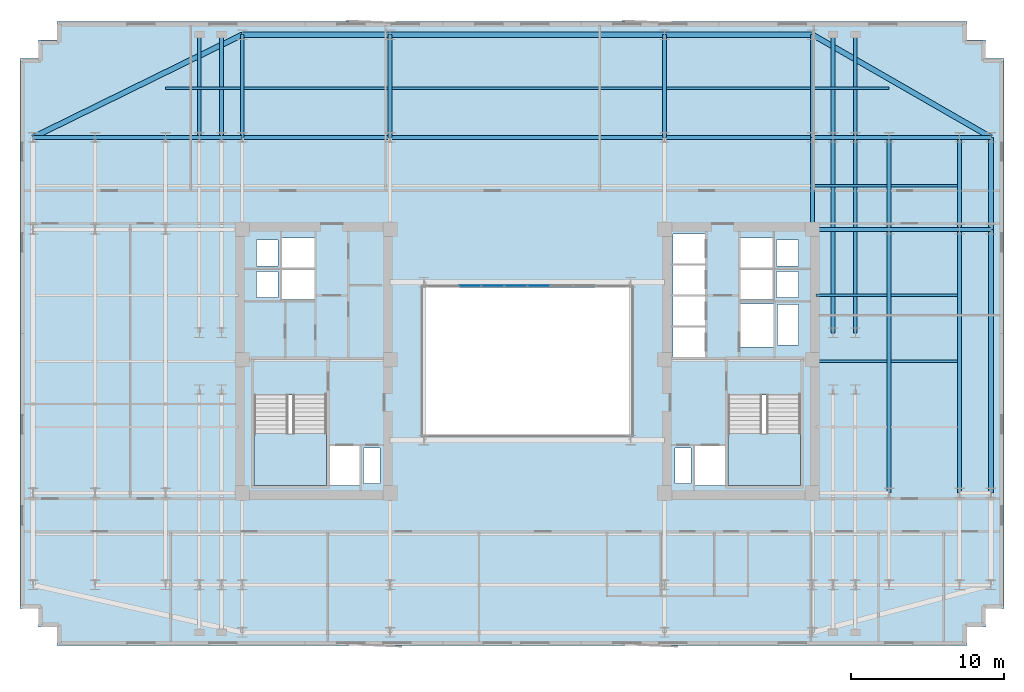
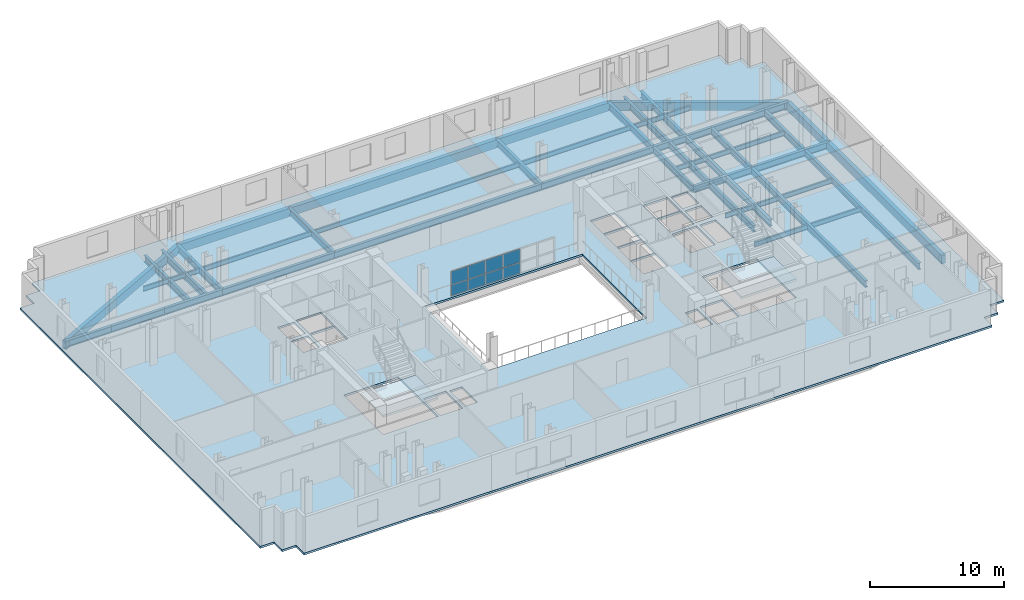
# One storey, part 5 of 12: 45 beams, 8 plates, 3 slabs, 3 elements without a shape of their own.
"""IFC4 building model written with IfcOpenShell, lengths in metres."""

from ifc_helpers import new_model, si_unit, direction, frame, origin, origin_2d, place, context, subcontext, project, spatial, polyline, rectangle, i_section, outline, extrude, material, layer, layer_set, material_profile, profile_set, type_object, element, aggregate, save


model = new_model("IFC4")

# Units and contexts
model_context = context("Model", 3, precision=1e-05, world=origin(), true_north=direction((0.0, 1.0)))
body_context = subcontext(model_context, "Body", "Model", "MODEL_VIEW")
ifc_project = project(units=[si_unit("LENGTHUNIT", "METRE"), si_unit("AREAUNIT", "SQUARE_METRE"), si_unit("VOLUMEUNIT", "CUBIC_METRE"), si_unit("PLANEANGLEUNIT", "RADIAN"), si_unit("MASSUNIT", "GRAM", prefix="KILO")], contexts=[model_context])

# Site, building, storey
site_placement = place(None, origin())
site = spatial("IfcSite", under=ifc_project, at=site_placement, CompositionType="ELEMENT")
building_placement = place(site_placement, origin())
building = spatial("IfcBuilding", under=site, at=building_placement, Name="Velakula Bourse", CompositionType="ELEMENT")
storey_placement = place(building_placement, frame((0.0, 0.0, 134.64990234375)))
storey = spatial("IfcBuildingStorey", under=building, at=storey_placement, Name="L36", CompositionType="ELEMENT", Elevation=134.64990234375)

# Beams
ifc_material_1 = material(Name="Steel IS 2062 Grade 350 (E350)", Category="steel")
ifc_material_profile_1 = material_profile(ifc_material_1, i_section(OverallWidth=0.25, OverallDepth=0.60009765625, WebThickness=0.01123046875, FlangeThickness=0.021240234375, at=origin_2d()), Name="Steel IS 2062 Grade 350 (E350)")
ifc_profile_set_1 = profile_set([ifc_material_profile_1], Name="Steel IS 2062 Grade 350 (E350)")
beam_type_1 = type_object("IfcBeamType", Name="BM-GRD-600M", PredefinedType="BEAM", material=ifc_profile_set_1)
beam_1_placement = place(storey_placement, frame((18.60009765625, 8.60009765625, -0.47998046875), z_axis=(0.0, 1.0, 0.0), x_axis=(-1.0, 0.0, 0.0)))
element("IfcBeam", 1, at=beam_1_placement, inside=storey, type_object=beam_type_1, Name="L36 Fulcrum Grid Girder FLC-EN", PredefinedType="BEAM", context=body_context, shape_type="SweptSolid", body=[
    extrude(i_section(OverallWidth=0.25, OverallDepth=0.60009765625, WebThickness=0.01123046875, FlangeThickness=0.021240234375, at=origin_2d()), origin(), (0.0, 0.0, 1.0), 6.0),
])
beam_2_placement = place(storey_placement, frame((-18.60009765625, 14.60009765625, -0.47998046875), z_axis=(1.0, 0.0, 0.0), x_axis=(0.0, 1.0, 0.0)))
element("IfcBeam", 2, at=beam_2_placement, inside=storey, type_object=beam_type_1, Name="L36 Fulcrum Grid Girder FLC-N1", PredefinedType="BEAM", context=body_context, shape_type="SweptSolid", body=[
    extrude(i_section(OverallWidth=0.25, OverallDepth=0.60009765625, WebThickness=0.01123046875, FlangeThickness=0.021240234375, at=origin_2d()), origin(), (0.0, 0.0, 1.0), 9.650146484375),
])
beam_3_placement = place(storey_placement, frame((-8.949951171875, 14.60009765625, -0.47998046875), z_axis=(1.0, 0.0, 0.0), x_axis=(0.0, 1.0, 0.0)))
element("IfcBeam", 3, at=beam_3_placement, inside=storey, type_object=beam_type_1, Name="L36 Fulcrum Grid Girder FLC-N2", PredefinedType="BEAM", context=body_context, shape_type="SweptSolid", body=[
    extrude(i_section(OverallWidth=0.25, OverallDepth=0.60009765625, WebThickness=0.01123046875, FlangeThickness=0.021240234375, at=origin_2d()), origin(), (0.0, 0.0, 1.0), 17.89990234375),
])
beam_4_placement = place(storey_placement, frame((8.949951171875, 14.60009765625, -0.47998046875), z_axis=(1.0, 0.0, 0.0), x_axis=(0.0, 1.0, 0.0)))
element("IfcBeam", 4, at=beam_4_placement, inside=storey, type_object=beam_type_1, Name="L36 Fulcrum Grid Girder FLC-N3", PredefinedType="BEAM", context=body_context, shape_type="SweptSolid", body=[
    extrude(i_section(OverallWidth=0.25, OverallDepth=0.60009765625, WebThickness=0.01123046875, FlangeThickness=0.021240234375, at=origin_2d()), origin(), (0.0, 0.0, 1.0), 9.650146484375),
])
for number, where, z_axis, x_axis, name in (
    (5, (19.949951171875, 1.85009765625, -0.47998046875), (0.0, 1.0, 0.0), (-1.0, 0.0, 0.0), "L36 Fulcrum Grid Girder FLC-PNE1"),
    (6, (21.39990234375, 1.85009765625, -0.47998046875), (0.0, 1.0, 0.0), (-1.0, 0.0, 0.0), "L36 Fulcrum Grid Girder FLC-PNE2"),
):
    element("IfcBeam", number, at=place(storey_placement, frame(where, z_axis=z_axis, x_axis=x_axis)), inside=storey, type_object=beam_type_1, Name=name, PredefinedType="BEAM", context=body_context, shape_type="SweptSolid", body=[
        extrude(i_section(OverallWidth=0.25, OverallDepth=0.60009765625, WebThickness=0.01123046875, FlangeThickness=0.021240234375, at=origin_2d()), origin(), (0.0, 0.0, 1.0), 12.75),
    ])
for number, where, z_axis, x_axis, name in (
    (7, (-23.60009765625, 14.60009765625, -0.47998046875), (1.0, 0.0, 0.0), (0.0, 1.0, 0.0), "L36 Fulcrum Grid Girder MWG-WN2"),
    (8, (18.60009765625, 8.60009765625, -0.47998046875), (1.0, 0.0, 0.0), (0.0, 1.0, 0.0), "L36 Fulcrum Grid Girder MWG-EN1"),
    (9, (18.60009765625, 14.60009765625, -0.47998046875), (1.0, 0.0, 0.0), (0.0, 1.0, 0.0), "L36 Fulcrum Grid Girder MWG-EN2"),
):
    element("IfcBeam", number, at=place(storey_placement, frame(where, z_axis=z_axis, x_axis=x_axis)), inside=storey, type_object=beam_type_1, Name=name, PredefinedType="BEAM", context=body_context, shape_type="SweptSolid", body=[
        extrude(i_section(OverallWidth=0.25, OverallDepth=0.60009765625, WebThickness=0.01123046875, FlangeThickness=0.021240234375, at=origin_2d()), origin(), (0.0, 0.0, 1.0), 5.0),
    ])
beam_5_placement = place(storey_placement, frame((23.60009765625, -8.60009765625, -0.47998046875), z_axis=(0.0, 1.0, 0.0), x_axis=(-1.0, 0.0, 0.0)))
element("IfcBeam", 10, at=beam_5_placement, inside=storey, type_object=beam_type_1, Name="L36 Fulcrum Grid Girder MWG-ENS2", PredefinedType="BEAM", context=body_context, shape_type="SweptSolid", body=[
    extrude(i_section(OverallWidth=0.25, OverallDepth=0.60009765625, WebThickness=0.01123046875, FlangeThickness=0.021240234375, at=origin_2d()), origin(), (0.0, 0.0, 1.0), 17.2001953125),
])
beam_6_placement = place(storey_placement, frame((23.60009765625, 8.60009765625, -0.47998046875), z_axis=(0.0, 1.0, 0.0), x_axis=(-1.0, 0.0, 0.0)))
element("IfcBeam", 11, at=beam_6_placement, inside=storey, type_object=beam_type_1, Name="L36 Fulcrum Grid Girder MWG-ENS3", PredefinedType="BEAM", context=body_context, shape_type="SweptSolid", body=[
    extrude(i_section(OverallWidth=0.25, OverallDepth=0.60009765625, WebThickness=0.01123046875, FlangeThickness=0.021240234375, at=origin_2d()), origin(), (0.0, 0.0, 1.0), 6.0),
])
for number, where, z_axis, x_axis, name in (
    (12, (-28.199951171875, 14.60009765625, -0.47998046875), (1.0, 0.0, 0.0), (0.0, 1.0, 0.0), "L36 Fulcrum Grid Girder WNG-WN2"),
    (13, (23.60009765625, 8.60009765625, -0.47998046875), (1.0, 0.0, 0.0), (0.0, 1.0, 0.0), "L36 Fulcrum Grid Girder WNG-EN1"),
    (14, (23.60009765625, 14.60009765625, -0.47998046875), (1.0, 0.0, 0.0), (0.0, 1.0, 0.0), "L36 Fulcrum Grid Girder WNG-EN2"),
):
    element("IfcBeam", number, at=place(storey_placement, frame(where, z_axis=z_axis, x_axis=x_axis)), inside=storey, type_object=beam_type_1, Name=name, PredefinedType="BEAM", context=body_context, shape_type="SweptSolid", body=[
        extrude(i_section(OverallWidth=0.25, OverallDepth=0.60009765625, WebThickness=0.01123046875, FlangeThickness=0.021240234375, at=origin_2d()), origin(), (0.0, 0.0, 1.0), 4.599853515625),
    ])
beam_7_placement = place(storey_placement, frame((28.199951171875, -8.60009765625, -0.47998046875), z_axis=(0.0, 1.0, 0.0), x_axis=(-1.0, 0.0, 0.0)))
element("IfcBeam", 15, at=beam_7_placement, inside=storey, type_object=beam_type_1, Name="L36 Fulcrum Grid Girder WNG-ENS2", PredefinedType="BEAM", context=body_context, shape_type="SweptSolid", body=[
    extrude(i_section(OverallWidth=0.25, OverallDepth=0.60009765625, WebThickness=0.01123046875, FlangeThickness=0.021240234375, at=origin_2d()), origin(), (0.0, 0.0, 1.0), 17.2001953125),
])
beam_8_placement = place(storey_placement, frame((28.199951171875, 8.60009765625, -0.47998046875), z_axis=(0.0, 1.0, 0.0), x_axis=(-1.0, 0.0, 0.0)))
element("IfcBeam", 16, at=beam_8_placement, inside=storey, type_object=beam_type_1, Name="L36 Fulcrum Grid Girder WNG-ENS3", PredefinedType="BEAM", context=body_context, shape_type="SweptSolid", body=[
    extrude(i_section(OverallWidth=0.25, OverallDepth=0.60009765625, WebThickness=0.01123046875, FlangeThickness=0.021240234375, at=origin_2d()), origin(), (0.0, 0.0, 1.0), 6.0),
])
for number, where, z_axis, x_axis, name in (
    (17, (-18.60009765625, 14.60009765625, -0.47998046875), (0.0, 1.0, 0.0), (-1.0, 0.0, 0.0), "L36 Perimeter Tie Girder N1"),
    (18, (-8.949951171875, 14.60009765625, -0.47998046875), (0.0, 1.0, 0.0), (-1.0, 0.0, 0.0), "L36 Perimeter Tie Girder N2"),
    (19, (8.949951171875, 14.60009765625, -0.47998046875), (0.0, 1.0, 0.0), (-1.0, 0.0, 0.0), "L36 Perimeter Tie Girder N3"),
    (20, (18.60009765625, 14.60009765625, -0.47998046875), (0.0, 1.0, 0.0), (-1.0, 0.0, 0.0), "L36 Perimeter Tie Girder N4"),
):
    element("IfcBeam", number, at=place(storey_placement, frame(where, z_axis=z_axis, x_axis=x_axis)), inside=storey, type_object=beam_type_1, Name=name, PredefinedType="BEAM", context=body_context, shape_type="SweptSolid", body=[
        extrude(i_section(OverallWidth=0.25, OverallDepth=0.60009765625, WebThickness=0.01123046875, FlangeThickness=0.021240234375, at=origin_2d()), origin(), (0.0, 0.0, 1.0), 6.699951171875),
    ])
beam_9_placement = place(storey_placement, frame((-28.199951171875, 14.60009765625, -0.47998046875), z_axis=(-1.0, 0.0, 0.0), x_axis=(0.0, -1.0, 0.0)))
element("IfcBeam", 21, at=beam_9_placement, inside=storey, type_object=beam_type_1, Name="L36 Perimeter Tie Girder W4", PredefinedType="BEAM", context=body_context, shape_type="SweptSolid", body=[
    extrude(i_section(OverallWidth=0.25, OverallDepth=0.60009765625, WebThickness=0.01123046875, FlangeThickness=0.021240234375, at=origin_2d()), origin(), (0.0, 0.0, 1.0), 4.050048828125),
])
for number, where, z_axis, x_axis, name in (
    (22, (28.199951171875, 8.60009765625, -0.47998046875), (1.0, 0.0, 0.0), (0.0, 1.0, 0.0), "L36 Perimeter Tie Girder E3"),
    (23, (28.199951171875, 14.60009765625, -0.47998046875), (1.0, 0.0, 0.0), (0.0, 1.0, 0.0), "L36 Perimeter Tie Girder E4"),
):
    element("IfcBeam", number, at=place(storey_placement, frame(where, z_axis=z_axis, x_axis=x_axis)), inside=storey, type_object=beam_type_1, Name=name, PredefinedType="BEAM", context=body_context, shape_type="SweptSolid", body=[
        extrude(i_section(OverallWidth=0.25, OverallDepth=0.60009765625, WebThickness=0.01123046875, FlangeThickness=0.021240234375, at=origin_2d()), origin(), (0.0, 0.0, 1.0), 2.050048828125),
    ])
for number, where, z_axis, x_axis, name in (
    (24, (-21.39990234375, 14.60009765625, -0.47998046875), (0.0, 1.0, 0.0), (-1.0, 0.0, 0.0), "L36 Perimeter Tie Girder P05"),
    (25, (-19.949951171875, 14.60009765625, -0.47998046875), (0.0, 1.0, 0.0), (-1.0, 0.0, 0.0), "L36 Perimeter Tie Girder P06"),
    (26, (19.949951171875, 14.60009765625, -0.47998046875), (0.0, 1.0, 0.0), (-1.0, 0.0, 0.0), "L36 Perimeter Tie Girder P07"),
    (27, (21.39990234375, 14.60009765625, -0.47998046875), (0.0, 1.0, 0.0), (-1.0, 0.0, 0.0), "L36 Perimeter Tie Girder P08"),
):
    element("IfcBeam", number, at=place(storey_placement, frame(where, z_axis=z_axis, x_axis=x_axis)), inside=storey, type_object=beam_type_1, Name=name, PredefinedType="BEAM", context=body_context, shape_type="SweptSolid", body=[
        extrude(i_section(OverallWidth=0.25, OverallDepth=0.60009765625, WebThickness=0.01123046875, FlangeThickness=0.021240234375, at=origin_2d()), origin(), (0.0, 0.0, 1.0), 6.699951171875),
    ])
ifc_material_profile_2 = material_profile(ifc_material_1, i_section(OverallWidth=0.14990234375, OverallDepth=0.449951171875, WebThickness=0.009521484375, FlangeThickness=0.017333984375, at=origin_2d()), Name="Steel IS 2062 Grade 350 (E350)")
ifc_profile_set_2 = profile_set([ifc_material_profile_2], Name="Steel IS 2062 Grade 350 (E350)")
beam_type_2 = type_object("IfcBeamType", Name="JST-TWR-450", PredefinedType="JOIST", material=ifc_profile_set_2)
beam_10_placement = place(storey_placement, frame((18.72509765625, 11.449951171875, -0.40478515625), z_axis=(1.0, 0.0, 0.0), x_axis=(0.0, 1.0, 0.0)))
element("IfcBeam", 28, at=beam_10_placement, inside=storey, type_object=beam_type_2, Name="L36 Trading Floor Composite Joist 15", PredefinedType="JOIST", context=body_context, shape_type="SweptSolid", body=[
    extrude(i_section(OverallWidth=0.14990234375, OverallDepth=0.449951171875, WebThickness=0.009521484375, FlangeThickness=0.017333984375, at=origin_2d()), origin(), (0.0, 0.0, 1.0), 4.75),
])
beam_11_placement = place(storey_placement, frame((23.72509765625, 11.449951171875, -0.40478515625), z_axis=(1.0, 0.0, 0.0), x_axis=(0.0, 1.0, 0.0)))
element("IfcBeam", 29, at=beam_11_placement, inside=storey, type_object=beam_type_2, Name="L36 Trading Floor Composite Joist 16", PredefinedType="JOIST", context=body_context, shape_type="SweptSolid", body=[
    extrude(i_section(OverallWidth=0.14990234375, OverallDepth=0.449951171875, WebThickness=0.009521484375, FlangeThickness=0.017333984375, at=origin_2d()), origin(), (0.0, 0.0, 1.0), 4.349853515625),
])
beam_12_placement = place(storey_placement, frame((-23.60009765625, 17.800048828125, -0.40478515625), z_axis=(1.0, 0.0, 0.0), x_axis=(0.0, 1.0, 0.0)))
element("IfcBeam", 30, at=beam_12_placement, inside=storey, type_object=beam_type_2, Name="L36 Trading Floor Composite Joist 17", PredefinedType="JOIST", context=body_context, shape_type="SweptSolid", body=[
    extrude(i_section(OverallWidth=0.14990234375, OverallDepth=0.449951171875, WebThickness=0.009521484375, FlangeThickness=0.017333984375, at=origin_2d()), origin(), (0.0, 0.0, 1.0), 4.875),
])
beam_13_placement = place(storey_placement, frame((-18.47509765625, 17.800048828125, -0.40478515625), z_axis=(1.0, 0.0, 0.0), x_axis=(0.0, 1.0, 0.0)))
element("IfcBeam", 31, at=beam_13_placement, inside=storey, type_object=beam_type_2, Name="L36 Trading Floor Composite Joist 18", PredefinedType="JOIST", context=body_context, shape_type="SweptSolid", body=[
    extrude(i_section(OverallWidth=0.14990234375, OverallDepth=0.449951171875, WebThickness=0.009521484375, FlangeThickness=0.017333984375, at=origin_2d()), origin(), (0.0, 0.0, 1.0), 9.400146484375),
])
beam_14_placement = place(storey_placement, frame((-8.824951171875, 17.800048828125, -0.40478515625), z_axis=(1.0, 0.0, 0.0), x_axis=(0.0, 1.0, 0.0)))
element("IfcBeam", 32, at=beam_14_placement, inside=storey, type_object=beam_type_2, Name="L36 Trading Floor Composite Joist 19", PredefinedType="JOIST", context=body_context, shape_type="SweptSolid", body=[
    extrude(i_section(OverallWidth=0.14990234375, OverallDepth=0.449951171875, WebThickness=0.009521484375, FlangeThickness=0.017333984375, at=origin_2d()), origin(), (0.0, 0.0, 1.0), 17.64990234375),
])
beam_15_placement = place(storey_placement, frame((9.074951171875, 17.800048828125, -0.40478515625), z_axis=(1.0, 0.0, 0.0), x_axis=(0.0, 1.0, 0.0)))
element("IfcBeam", 33, at=beam_15_placement, inside=storey, type_object=beam_type_2, Name="L36 Trading Floor Composite Joist 20", PredefinedType="JOIST", context=body_context, shape_type="SweptSolid", body=[
    extrude(i_section(OverallWidth=0.14990234375, OverallDepth=0.449951171875, WebThickness=0.009521484375, FlangeThickness=0.017333984375, at=origin_2d()), origin(), (0.0, 0.0, 1.0), 9.400146484375),
])
beam_16_placement = place(storey_placement, frame((18.72509765625, 17.800048828125, -0.40478515625), z_axis=(1.0, 0.0, 0.0), x_axis=(0.0, 1.0, 0.0)))
element("IfcBeam", 34, at=beam_16_placement, inside=storey, type_object=beam_type_2, Name="L36 Trading Floor Composite Joist 21", PredefinedType="JOIST", context=body_context, shape_type="SweptSolid", body=[
    extrude(i_section(OverallWidth=0.14990234375, OverallDepth=0.449951171875, WebThickness=0.009521484375, FlangeThickness=0.017333984375, at=origin_2d()), origin(), (0.0, 0.0, 1.0), 4.875),
])
beam_17_placement = place(storey_placement, frame((18.85009765625, 0.0, -0.40478515625), z_axis=(1.0, 0.0, 0.0), x_axis=(0.0, 1.0, 0.0)))
element("IfcBeam", 35, at=beam_17_placement, inside=storey, type_object=beam_type_2, Name="L36 Trading Floor Composite Joist 33", PredefinedType="JOIST", context=body_context, shape_type="SweptSolid", body=[
    extrude(i_section(OverallWidth=0.14990234375, OverallDepth=0.449951171875, WebThickness=0.009521484375, FlangeThickness=0.017333984375, at=origin_2d()), origin(), (0.0, 0.0, 1.0), 4.625),
])
beam_18_placement = place(storey_placement, frame((23.72509765625, 0.0, -0.40478515625), z_axis=(1.0, 0.0, 0.0), x_axis=(0.0, 1.0, 0.0)))
element("IfcBeam", 36, at=beam_18_placement, inside=storey, type_object=beam_type_2, Name="L36 Trading Floor Composite Joist 34", PredefinedType="JOIST", context=body_context, shape_type="SweptSolid", body=[
    extrude(i_section(OverallWidth=0.14990234375, OverallDepth=0.449951171875, WebThickness=0.009521484375, FlangeThickness=0.017333984375, at=origin_2d()), origin(), (0.0, 0.0, 1.0), 4.349853515625),
])
beam_19_placement = place(storey_placement, frame((18.85009765625, 4.300048828125, -0.40478515625), z_axis=(1.0, 0.0, 0.0), x_axis=(0.0, 1.0, 0.0)))
element("IfcBeam", 37, at=beam_19_placement, inside=storey, type_object=beam_type_2, Name="L36 Trading Floor Composite Joist 38", PredefinedType="JOIST", context=body_context, shape_type="SweptSolid", body=[
    extrude(i_section(OverallWidth=0.14990234375, OverallDepth=0.449951171875, WebThickness=0.009521484375, FlangeThickness=0.017333984375, at=origin_2d()), origin(), (0.0, 0.0, 1.0), 4.625),
])
beam_20_placement = place(storey_placement, frame((23.72509765625, 4.300048828125, -0.40478515625), z_axis=(1.0, 0.0, 0.0), x_axis=(0.0, 1.0, 0.0)))
element("IfcBeam", 38, at=beam_20_placement, inside=storey, type_object=beam_type_2, Name="L36 Trading Floor Composite Joist 39", PredefinedType="JOIST", context=body_context, shape_type="SweptSolid", body=[
    extrude(i_section(OverallWidth=0.14990234375, OverallDepth=0.449951171875, WebThickness=0.009521484375, FlangeThickness=0.017333984375, at=origin_2d()), origin(), (0.0, 0.0, 1.0), 4.349853515625),
])
ifc_material_2 = material(Name="Precast concrete M45 (fck 45 MPa)", Category="concrete")
ifc_material_profile_3 = material_profile(ifc_material_2, rectangle(XDim=0.35009765625, YDim=0.75, at=origin_2d()), Name="Precast concrete M45 (fck 45 MPa)")
ifc_profile_set_3 = profile_set([ifc_material_profile_3], Name="Precast concrete M45 (fck 45 MPa)")
beam_type_3 = type_object("IfcBeamType", Name="SPN-BRICK-750", PredefinedType="SPANDREL", material=ifc_profile_set_3)
beam_21_placement = place(storey_placement, frame((-18.60009765625, 21.300048828125, -0.554931640625), z_axis=(1.0, 0.0, 0.0), x_axis=(0.0, 1.0, 0.0)))
element("IfcBeam", 39, at=beam_21_placement, inside=storey, type_object=beam_type_3, Name="L36 Brick-Faced Precast Spandrel N1-N2", PredefinedType="SPANDREL", context=body_context, shape_type="SweptSolid", body=[
    extrude(rectangle(XDim=0.35009765625, YDim=0.75, at=origin_2d()), origin(), (0.0, 0.0, 1.0), 9.650146484375),
])
beam_22_placement = place(storey_placement, frame((-8.949951171875, 21.300048828125, -0.554931640625), z_axis=(1.0, 0.0, 0.0), x_axis=(0.0, 1.0, 0.0)))
element("IfcBeam", 40, at=beam_22_placement, inside=storey, type_object=beam_type_3, Name="L36 Brick-Faced Precast Spandrel N2-N3", PredefinedType="SPANDREL", context=body_context, shape_type="SweptSolid", body=[
    extrude(rectangle(XDim=0.35009765625, YDim=0.75, at=origin_2d()), origin(), (0.0, 0.0, 1.0), 17.89990234375),
])
beam_23_placement = place(storey_placement, frame((8.949951171875, 21.300048828125, -0.554931640625), z_axis=(1.0, 0.0, 0.0), x_axis=(0.0, 1.0, 0.0)))
element("IfcBeam", 41, at=beam_23_placement, inside=storey, type_object=beam_type_3, Name="L36 Brick-Faced Precast Spandrel N3-N4", PredefinedType="SPANDREL", context=body_context, shape_type="SweptSolid", body=[
    extrude(rectangle(XDim=0.35009765625, YDim=0.75, at=origin_2d()), origin(), (0.0, 0.0, 1.0), 9.650146484375),
])
beam_24_placement = place(storey_placement, frame((30.25, -8.60009765625, -0.554931640625), z_axis=(0.0, 1.0, 0.0), x_axis=(-1.0, 0.0, 0.0)))
element("IfcBeam", 42, at=beam_24_placement, inside=storey, type_object=beam_type_3, Name="L36 Brick-Faced Precast Spandrel E2-E3", PredefinedType="SPANDREL", context=body_context, shape_type="SweptSolid", body=[
    extrude(rectangle(XDim=0.35009765625, YDim=0.75, at=origin_2d()), origin(), (0.0, 0.0, 1.0), 17.2001953125),
])
beam_25_placement = place(storey_placement, frame((30.25, 8.60009765625, -0.554931640625), z_axis=(0.0, 1.0, 0.0), x_axis=(-1.0, 0.0, 0.0)))
element("IfcBeam", 43, at=beam_25_placement, inside=storey, type_object=beam_type_3, Name="L36 Brick-Faced Precast Spandrel E3-E4", PredefinedType="SPANDREL", context=body_context, shape_type="SweptSolid", body=[
    extrude(rectangle(XDim=0.35009765625, YDim=0.75, at=origin_2d()), origin(), (0.0, 0.0, 1.0), 6.0),
])
beam_26_placement = place(storey_placement, frame((30.25, 14.60009765625, -0.554931640625), z_axis=(-0.866865871572, 0.498541433286, 0.0), x_axis=(-0.498541433286, -0.866865871572, 0.0)))
element("IfcBeam", 44, at=beam_26_placement, inside=storey, type_object=beam_type_3, Name="L36 Brick-Faced Precast Spandrel E4-N4", PredefinedType="SPANDREL", context=body_context, shape_type="SweptSolid", body=[
    extrude(rectangle(XDim=0.35009765625, YDim=0.75, at=origin_2d()), origin(), (0.0, 0.0, 1.0), 13.439208984375),
])
beam_27_placement = place(storey_placement, frame((-18.60009765625, 21.300048828125, -0.554931640625), z_axis=(-0.897691282679, -0.440624966385, 0.0), x_axis=(0.440624966385, -0.897691282679, 0.0)))
element("IfcBeam", 45, at=beam_27_placement, inside=storey, type_object=beam_type_3, Name="L36 Brick-Faced Precast Spandrel N1-W4", PredefinedType="SPANDREL", context=body_context, shape_type="SweptSolid", body=[
    extrude(rectangle(XDim=0.35009765625, YDim=0.75, at=origin_2d()), origin(), (0.0, 0.0, 1.0), 15.20556640625),
])

# Curtain wall, plates
ifc_material_3 = material(Name="Anodised bronze architectural aluminium", Category="aluminium")
ifc_layer_1 = layer(ifc_material_3, 0.14990234375, Name="Anodised bronze architectural aluminium", Category="aluminium")
ifc_layer_set_1 = layer_set([ifc_layer_1], Name="Anodised bronze architectural aluminium")
curtain_wall_type = type_object("IfcCurtainWallType", Name="CW-AT1", PredefinedType="NOTDEFINED", material=ifc_layer_set_1)
curtain_wall_placement = place(storey_placement, origin())
curtain_wall = element("IfcCurtainWall", 46, at=curtain_wall_placement, inside=storey, type_object=curtain_wall_type, Name="L36 Central Trading Atrium Fire-Rated Glazed Screen", PredefinedType="NOTDEFINED")
ifc_material_4 = material(Name="Fire-resistant EI 120 laminated glazing", Category="glass")
ifc_layer_2 = layer(ifc_material_4, 0.02392578125, Name="Fire-resistant EI 120 laminated glazing", Category="glass")
ifc_layer_set_2 = layer_set([ifc_layer_2], Name="Fire-resistant EI 120 laminated glazing")
plate_type = type_object("IfcPlateType", Name="PNL-CW-AT1", PredefinedType="CURTAIN_PANEL", material=ifc_layer_set_2)
plate_1_placement = place(storey_placement, frame((-3.735107421875, 4.919921875, 0.06005859375), z_axis=(0.0, 0.0, 1.0), x_axis=(1.0, 0.0, 0.0)))
plate_1 = element("IfcPlate", 47, at=plate_1_placement, type_object=plate_type, Name="CW-AT1 panel 1.1", PredefinedType="CURTAIN_PANEL", context=body_context, shape_type="SweptSolid", body=[
    extrude(rectangle(XDim=1.409912109375, YDim=0.028076171875, at=origin_2d()), origin(), (0.0, 0.0, 1.0), 0.96533203125),
])
plate_2_placement = place(storey_placement, frame((-3.735107421875, 4.919921875, 1.08544921875), z_axis=(0.0, 0.0, 1.0), x_axis=(1.0, 0.0, 0.0)))
plate_2 = element("IfcPlate", 48, at=plate_2_placement, type_object=plate_type, Name="CW-AT1 panel 1.2", PredefinedType="CURTAIN_PANEL", context=body_context, shape_type="SweptSolid", body=[
    extrude(rectangle(XDim=1.409912109375, YDim=0.028076171875, at=origin_2d()), origin(), (0.0, 0.0, 1.0), 1.19970703125),
])
plate_3_placement = place(storey_placement, frame((-2.25, 4.919921875, 0.06005859375), z_axis=(0.0, 0.0, 1.0), x_axis=(1.0, 0.0, 0.0)))
plate_3 = element("IfcPlate", 49, at=plate_3_placement, type_object=plate_type, Name="CW-AT1 panel 2.1", PredefinedType="CURTAIN_PANEL", context=body_context, shape_type="SweptSolid", body=[
    extrude(rectangle(XDim=1.43994140625, YDim=0.028076171875, at=origin_2d()), origin(), (0.0, 0.0, 1.0), 0.96533203125),
])
plate_4_placement = place(storey_placement, frame((-2.25, 4.919921875, 1.08544921875), z_axis=(0.0, 0.0, 1.0), x_axis=(1.0, 0.0, 0.0)))
plate_4 = element("IfcPlate", 50, at=plate_4_placement, type_object=plate_type, Name="CW-AT1 panel 2.2", PredefinedType="CURTAIN_PANEL", context=body_context, shape_type="SweptSolid", body=[
    extrude(rectangle(XDim=1.43994140625, YDim=0.028076171875, at=origin_2d()), origin(), (0.0, 0.0, 1.0), 1.19970703125),
])
plate_5_placement = place(storey_placement, frame((-0.75, 4.919921875, 0.06005859375), z_axis=(0.0, 0.0, 1.0), x_axis=(1.0, 0.0, 0.0)))
plate_5 = element("IfcPlate", 51, at=plate_5_placement, type_object=plate_type, Name="CW-AT1 panel 3.1", PredefinedType="CURTAIN_PANEL", context=body_context, shape_type="SweptSolid", body=[
    extrude(rectangle(XDim=1.43994140625, YDim=0.028076171875, at=origin_2d()), origin(), (0.0, 0.0, 1.0), 0.96533203125),
])
plate_6_placement = place(storey_placement, frame((-0.75, 4.919921875, 1.08544921875), z_axis=(0.0, 0.0, 1.0), x_axis=(1.0, 0.0, 0.0)))
plate_6 = element("IfcPlate", 52, at=plate_6_placement, type_object=plate_type, Name="CW-AT1 panel 3.2", PredefinedType="CURTAIN_PANEL", context=body_context, shape_type="SweptSolid", body=[
    extrude(rectangle(XDim=1.43994140625, YDim=0.028076171875, at=origin_2d()), origin(), (0.0, 0.0, 1.0), 1.19970703125),
])
plate_7_placement = place(storey_placement, frame((0.75, 4.919921875, 0.06005859375), z_axis=(0.0, 0.0, 1.0), x_axis=(1.0, 0.0, 0.0)))
plate_7 = element("IfcPlate", 53, at=plate_7_placement, type_object=plate_type, Name="CW-AT1 panel 4.1", PredefinedType="CURTAIN_PANEL", context=body_context, shape_type="SweptSolid", body=[
    extrude(rectangle(XDim=1.43994140625, YDim=0.028076171875, at=origin_2d()), origin(), (0.0, 0.0, 1.0), 0.96533203125),
])
plate_8_placement = place(storey_placement, frame((0.75, 4.919921875, 1.08544921875), z_axis=(0.0, 0.0, 1.0), x_axis=(1.0, 0.0, 0.0)))
plate_8 = element("IfcPlate", 54, at=plate_8_placement, type_object=plate_type, Name="CW-AT1 panel 4.2", PredefinedType="CURTAIN_PANEL", context=body_context, shape_type="SweptSolid", body=[
    extrude(rectangle(XDim=1.43994140625, YDim=0.028076171875, at=origin_2d()), origin(), (0.0, 0.0, 1.0), 1.19970703125),
])
aggregate(curtain_wall, [plate_1, plate_2, plate_3, plate_4, plate_5, plate_6, plate_7, plate_8])

# Stair, slab
ifc_material_5 = material(Name="Concrete M45 (fck 45 MPa)", Category="concrete")
stair_type = type_object("IfcStairType", Name="STR-DOG-390", PredefinedType="HALF_TURN_STAIR", material=ifc_material_5)
stair_1_placement = place(storey_placement, origin())
stair_1 = element("IfcStair", 55, at=stair_1_placement, inside=storey, type_object=stair_type, Name="L36 West Core Exit Stair ST-W1", PredefinedType="HALF_TURN_STAIR")
ifc_layer_3 = layer(ifc_material_5, 0.199951171875, Name="Concrete M45 (fck 45 MPa)", Category="concrete")
ifc_layer_set_3 = layer_set([ifc_layer_3], Name="Concrete M45 (fck 45 MPa)")
slab_type_1 = type_object("IfcSlabType", Name="SLB-STAIR-LND-200", PredefinedType="LANDING", material=ifc_layer_set_3)
slab_1_placement = place(storey_placement, frame((0.0, 0.0, 1.525146484375)))
slab_1 = element("IfcSlab", 56, at=slab_1_placement, type_object=slab_type_1, Name="ST-W1 landing 1", PredefinedType="LANDING", context=body_context, shape_type="SweptSolid", body=[
    extrude(outline(polyline([(-17.820068359375, -4.719970703125), (-17.820068359375, -8.10009765625), (-13.10009765625, -8.10009765625), (-13.10009765625, -4.719970703125), (-17.820068359375, -4.719970703125)])), origin(), (0.0, 0.0, 1.0), 0.199951171875),
])
aggregate(stair_1, [slab_1])

stair_2_placement = place(storey_placement, origin())
stair_2 = element("IfcStair", 57, at=stair_2_placement, inside=storey, type_object=stair_type, Name="L36 East Core Exit Stair ST-E1", PredefinedType="HALF_TURN_STAIR")
slab_2_placement = place(storey_placement, frame((0.0, 0.0, 1.525146484375)))
slab_2 = element("IfcSlab", 58, at=slab_2_placement, type_object=slab_type_1, Name="ST-E1 landing 1", PredefinedType="LANDING", context=body_context, shape_type="SweptSolid", body=[
    extrude(outline(polyline([(13.10009765625, -4.719970703125), (13.10009765625, -8.10009765625), (17.820068359375, -8.10009765625), (17.820068359375, -4.719970703125), (13.10009765625, -4.719970703125)])), origin(), (0.0, 0.0, 1.0), 0.199951171875),
])
aggregate(stair_2, [slab_2])

# Slab
ifc_material_6 = material(Name="Concrete M50 (fck 50 MPa)", Category="concrete")
ifc_layer_4 = layer(ifc_material_6, 0.179931640625, Name="Concrete M50 (fck 50 MPa)", Category="concrete")
ifc_layer_set_4 = layer_set([ifc_layer_4], Name="Concrete M50 (fck 50 MPa)")
slab_type_2 = type_object("IfcSlabType", Name="SLB-TWR-180", PredefinedType="FLOOR", material=ifc_layer_set_4)
slab_3_placement = place(storey_placement, frame((0.0, 0.0, -0.179931640625)))
element("IfcSlab", 59, at=slab_3_placement, inside=storey, type_object=slab_type_2, Name="L36 Suspended Structural Floor Slab", PredefinedType="FLOOR", context=body_context, shape_type="SweptSolid", body=[
    extrude(outline(polyline([(-30.699951171875, -18.550048828125), (28.699951171875, -18.550048828125), (28.699951171875, -17.35009765625), (29.89990234375, -17.35009765625), (29.89990234375, -16.14990234375), (31.10009765625, -16.14990234375), (31.10009765625, 19.75), (29.89990234375, 19.75), (29.89990234375, 20.949951171875), (28.699951171875, 20.949951171875), (28.699951171875, 22.14990234375), (-30.699951171875, 22.14990234375), (-30.699951171875, 20.949951171875), (-31.89990234375, 20.949951171875), (-31.89990234375, 19.75), (-33.10009765625, 19.75), (-33.10009765625, -16.14990234375), (-31.89990234375, -16.14990234375), (-31.89990234375, -17.35009765625), (-30.699951171875, -17.35009765625), (-30.699951171875, -18.550048828125)]), holes=[polyline([(-17.820068359375, -8.10009765625), (-13.10009765625, -8.10009765625), (-13.10009765625, -2.199951171875), (-17.820068359375, -2.199951171875), (-17.820068359375, -8.10009765625)]), polyline([(13.10009765625, -8.10009765625), (17.820068359375, -8.10009765625), (17.820068359375, -2.199951171875), (13.10009765625, -2.199951171875), (13.10009765625, -8.10009765625)]), polyline([(-12.89990234375, -8.10009765625), (-10.949951171875, -8.10009765625), (-10.949951171875, -5.550048828125), (-12.89990234375, -5.550048828125), (-12.89990234375, -8.10009765625)]), polyline([(10.949951171875, -8.10009765625), (12.89990234375, -8.10009765625), (12.89990234375, -5.550048828125), (10.949951171875, -5.550048828125), (10.949951171875, -8.10009765625)]), polyline([(13.89990234375, 0.919921875), (16.050048828125, 0.919921875), (16.050048828125, 3.719970703125), (13.89990234375, 3.719970703125), (13.89990234375, 0.919921875)]), polyline([(-10.679931640625, -7.97998046875), (-9.6201171875, -7.97998046875), (-9.6201171875, -5.669921875), (-10.679931640625, -5.669921875), (-10.679931640625, -7.97998046875)]), polyline([(-17.679931640625, 4.139892578125), (-16.27001953125, 4.139892578125), (-16.27001953125, 5.85009765625), (-17.679931640625, 5.85009765625), (-17.679931640625, 4.139892578125)]), polyline([(-17.679931640625, 6.2099609375), (-16.27001953125, 6.2099609375), (-16.27001953125, 7.919921875), (-17.679931640625, 7.919921875), (-17.679931640625, 6.2099609375)]), polyline([(9.6201171875, -7.97998046875), (10.679931640625, -7.97998046875), (10.679931640625, -5.669921875), (9.6201171875, -5.669921875), (9.6201171875, -7.97998046875)]), polyline([(16.27001953125, 4.139892578125), (17.679931640625, 4.139892578125), (17.679931640625, 5.85009765625), (16.27001953125, 5.85009765625), (16.27001953125, 4.139892578125)]), polyline([(16.27001953125, 6.2099609375), (17.679931640625, 6.2099609375), (17.679931640625, 7.919921875), (16.27001953125, 7.919921875), (16.27001953125, 6.2099609375)]), polyline([(16.320068359375, 1.0400390625), (17.679931640625, 1.0400390625), (17.679931640625, 3.699951171875), (16.320068359375, 3.699951171875), (16.320068359375, 1.0400390625)]), polyline([(9.5, 0.280029296875), (11.60009765625, 0.280029296875), (11.60009765625, 2.199951171875), (9.5, 2.199951171875), (9.5, 0.280029296875)]), polyline([(9.5, 2.31005859375), (11.60009765625, 2.31005859375), (11.60009765625, 4.22998046875), (9.5, 4.22998046875), (9.5, 2.31005859375)]), polyline([(9.5, 4.340087890625), (11.60009765625, 4.340087890625), (11.60009765625, 6.260009765625), (9.5, 6.260009765625), (9.5, 4.340087890625)]), polyline([(9.5, 6.3701171875), (11.60009765625, 6.3701171875), (11.60009765625, 8.2900390625), (9.5, 8.2900390625), (9.5, 6.3701171875)]), polyline([(-16.0, 4.02001953125), (-13.89990234375, 4.02001953125), (-13.89990234375, 5.969970703125), (-16.0, 5.969970703125), (-16.0, 4.02001953125)]), polyline([(-16.0, 6.090087890625), (-13.89990234375, 6.090087890625), (-13.89990234375, 8.0400390625), (-16.0, 8.0400390625), (-16.0, 6.090087890625)]), polyline([(13.89990234375, 4.02001953125), (16.0, 4.02001953125), (16.0, 5.969970703125), (13.89990234375, 5.969970703125), (13.89990234375, 4.02001953125)]), polyline([(13.89990234375, 6.090087890625), (16.0, 6.090087890625), (16.0, 8.0400390625), (13.89990234375, 8.0400390625), (13.89990234375, 6.090087890625)]), polyline([(-6.800048828125, -4.800048828125), (6.800048828125, -4.800048828125), (6.800048828125, 4.800048828125), (-6.800048828125, 4.800048828125), (-6.800048828125, -4.800048828125)])]), origin(), (0.0, 0.0, 1.0), 0.179931640625),
])

save(model, "model.ifc")
